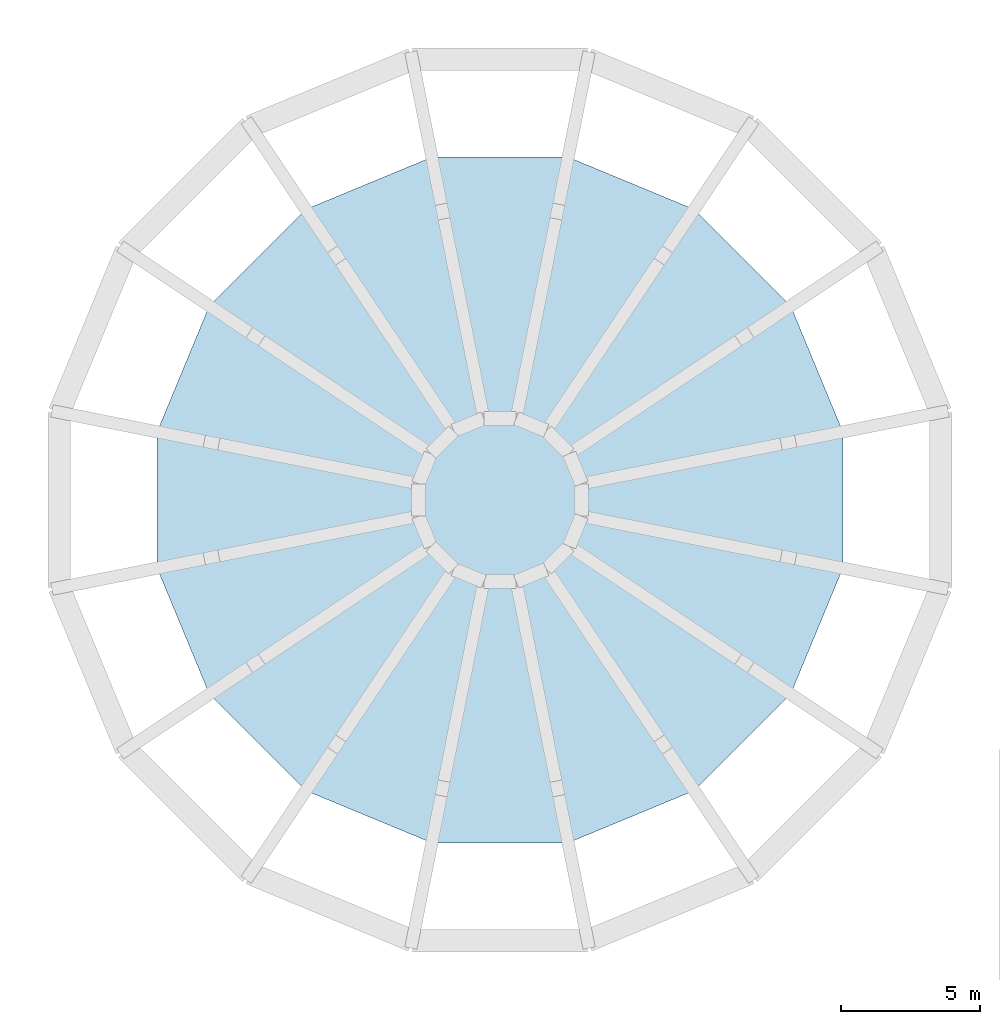
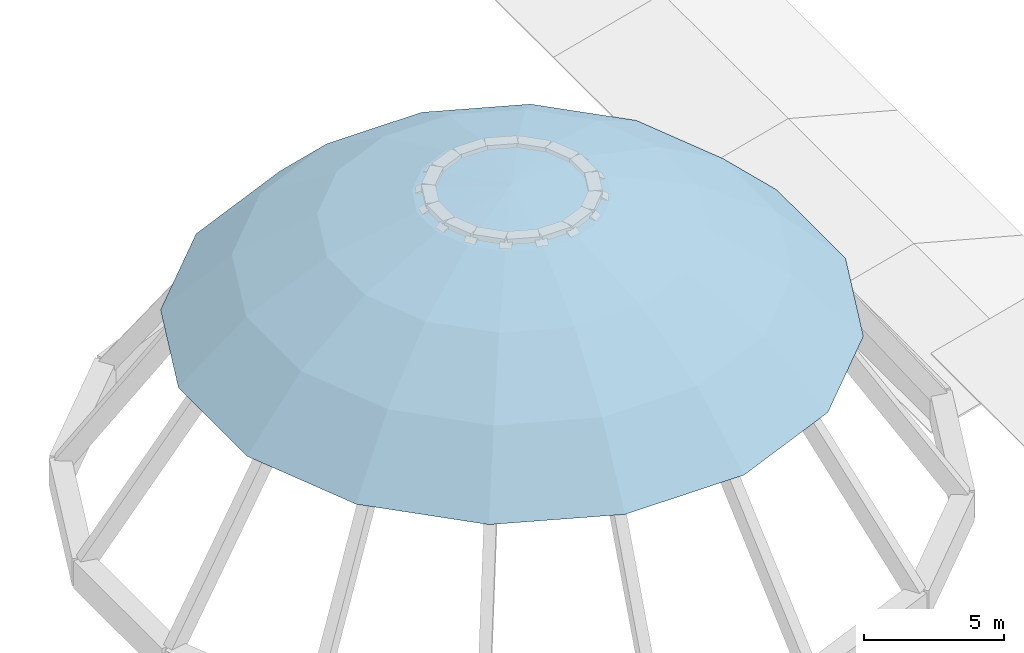
# One storey, part 79 of 80: 1 roof.
"""IFC4 building model written with IfcOpenShell, lengths in metres."""

from ifc_helpers import new_model, si_unit, direction, frame, origin, place, context, subcontext, project, spatial, polygons, material, layer, layer_set, type_object, element, save


model = new_model("IFC4")

# Units and contexts
model_context = context("Model", 3, precision=1e-05, world=origin(), true_north=direction((0.0, 1.0)))
body_context = subcontext(model_context, "Body", "Model", "MODEL_VIEW")
ifc_project = project(units=[si_unit("LENGTHUNIT", "METRE"), si_unit("AREAUNIT", "SQUARE_METRE"), si_unit("VOLUMEUNIT", "CUBIC_METRE"), si_unit("PLANEANGLEUNIT", "RADIAN"), si_unit("MASSUNIT", "GRAM", prefix="KILO"), si_unit("THERMODYNAMICTEMPERATUREUNIT", "KELVIN"), si_unit("POWERUNIT", "WATT")], contexts=[model_context])

# Site, building, storey
site_placement = place(None, origin())
site = spatial("IfcSite", under=ifc_project, at=site_placement, CompositionType="ELEMENT")
building_placement = place(site_placement, origin())
building = spatial("IfcBuilding", under=site, at=building_placement, Name="Tallowbark Science Centre", CompositionType="ELEMENT")
storey_placement = place(building_placement, frame((0.0, 0.0, 25.949951171875)))
storey = spatial("IfcBuildingStorey", under=building, at=storey_placement, Name="ROOF", CompositionType="ELEMENT", Elevation=25.949951171875)

# Roof
ifc_material = material(Name="Concrete Grade N50 (50 MPa)", Category="concrete")
ifc_layer = layer(ifc_material, 0.25)
ifc_layer_set = layer_set([ifc_layer], Name="Concrete Grade N50 (50 MPa)")
roof_type = type_object("IfcRoofType", Name="ROOF-DOME-N50", PredefinedType="DOME_ROOF", material=ifc_layer_set)
roof_placement = place(storey_placement, origin())
element("IfcRoof", 1, at=roof_placement, inside=storey, type_object=roof_type, Name="Planetarium Upper Dome Standing-Seam Cladding Shell", PredefinedType="DOME_ROOF", context=body_context, shape_type="Tessellation", body=[
    polygons([(34.85791015625, 20.458251953125, 2.25), (32.9765625, 25.000244140625, 2.25), (29.500244140625, 28.4765625, 2.25), (24.958251953125, 30.35791015625, 2.25), (20.041748046875, 30.35791015625, 2.25), (15.499755859375, 28.4765625, 2.25), (12.0234375, 25.000244140625, 2.25), (10.14208984375, 20.458251953125, 2.25), (10.14208984375, 15.541748046875, 2.25), (12.0234375, 10.999755859375, 2.25), (15.499755859375, 7.5234375, 2.25), (20.041748046875, 5.64208984375, 2.25), (24.958251953125, 5.64208984375, 2.25), (29.500244140625, 7.5234375, 2.25), (32.9765625, 10.999755859375, 2.25), (34.85791015625, 15.541748046875, 2.25), (32.351806640625, 19.959716796875, 4.794921875), (30.85205078125, 23.58056640625, 4.794921875), (28.08056640625, 26.35205078125, 4.794921875), (24.459716796875, 27.851806640625, 4.794921875), (20.540283203125, 27.851806640625, 4.794921875), (16.91943359375, 26.35205078125, 4.794921875), (14.14794921875, 23.58056640625, 4.794921875), (12.648193359375, 19.959716796875, 4.794921875), (12.648193359375, 16.040283203125, 4.794921875), (14.14794921875, 12.41943359375, 4.794921875), (16.91943359375, 9.64794921875, 4.794921875), (20.540283203125, 8.148193359375, 4.794921875), (24.459716796875, 8.148193359375, 4.794921875), (28.08056640625, 9.64794921875, 4.794921875), (30.85205078125, 12.41943359375, 4.794921875), (32.351806640625, 16.040283203125, 4.794921875), (29.354248046875, 19.363525390625, 6.709228515625), (28.310791015625, 21.882568359375, 6.709228515625), (26.382568359375, 23.810791015625, 6.709228515625), (23.863525390625, 24.854248046875, 6.709228515625), (21.136474609375, 24.854248046875, 6.709228515625), (18.617431640625, 23.810791015625, 6.709228515625), (16.689208984375, 21.882568359375, 6.709228515625), (15.645751953125, 19.363525390625, 6.709228515625), (15.645751953125, 16.636474609375, 6.709228515625), (16.689208984375, 14.117431640625, 6.709228515625), (18.617431640625, 12.189208984375, 6.709228515625), (21.136474609375, 11.145751953125, 6.709228515625), (23.863525390625, 11.145751953125, 6.709228515625), (26.382568359375, 12.189208984375, 6.709228515625), (28.310791015625, 14.117431640625, 6.709228515625), (29.354248046875, 16.636474609375, 6.709228515625), (26.014892578125, 18.69921875, 7.897216796875), (25.479736328125, 19.990966796875, 7.897216796875), (24.490966796875, 20.979736328125, 7.897216796875), (23.19921875, 21.514892578125, 7.897216796875), (21.80078125, 21.514892578125, 7.897216796875), (20.509033203125, 20.979736328125, 7.897216796875), (19.520263671875, 19.990966796875, 7.897216796875), (18.985107421875, 18.69921875, 7.897216796875), (18.985107421875, 17.30078125, 7.897216796875), (19.520263671875, 16.009033203125, 7.897216796875), (20.509033203125, 15.020263671875, 7.897216796875), (21.80078125, 14.485107421875, 7.897216796875), (23.19921875, 14.485107421875, 7.897216796875), (24.490966796875, 15.020263671875, 7.897216796875), (25.479736328125, 16.009033203125, 7.897216796875), (26.014892578125, 17.30078125, 7.897216796875), (22.5, 18.0, 8.300048828125), (34.76611328125, 20.43994140625, 2.25), (32.898681640625, 24.9482421875, 2.25), (29.4482421875, 28.398681640625, 2.25), (24.93994140625, 30.26611328125, 2.25), (20.06005859375, 30.26611328125, 2.25), (15.5517578125, 28.398681640625, 2.25), (12.101318359375, 24.9482421875, 2.25), (10.23388671875, 20.43994140625, 2.25), (10.23388671875, 15.56005859375, 2.25), (12.101318359375, 11.0517578125, 2.25), (15.5517578125, 7.601318359375, 2.25), (20.06005859375, 5.73388671875, 2.25), (24.93994140625, 5.73388671875, 2.25), (29.4482421875, 7.601318359375, 2.25), (32.898681640625, 11.0517578125, 2.25), (34.76611328125, 15.56005859375, 2.25), (32.278564453125, 19.945068359375, 4.700927734375), (30.7900390625, 23.5390625, 4.700927734375), (28.0390625, 26.2900390625, 4.700927734375), (24.445068359375, 27.778564453125, 4.700927734375), (20.554931640625, 27.778564453125, 4.700927734375), (16.9609375, 26.2900390625, 4.700927734375), (14.2099609375, 23.5390625, 4.700927734375), (12.721435546875, 19.945068359375, 4.700927734375), (12.721435546875, 16.054931640625, 4.700927734375), (14.2099609375, 12.4609375, 4.700927734375), (16.9609375, 9.7099609375, 4.700927734375), (20.554931640625, 8.221435546875, 4.700927734375), (24.445068359375, 8.221435546875, 4.700927734375), (28.0390625, 9.7099609375, 4.700927734375), (30.7900390625, 12.4609375, 4.700927734375), (32.278564453125, 16.054931640625, 4.700927734375), (29.303466796875, 19.353271484375, 6.60107421875), (28.267578125, 21.853759765625, 6.60107421875), (26.353759765625, 23.767578125, 6.60107421875), (23.853271484375, 24.803466796875, 6.60107421875), (21.146728515625, 24.803466796875, 6.60107421875), (18.646240234375, 23.767578125, 6.60107421875), (16.732421875, 21.853759765625, 6.60107421875), (15.696533203125, 19.353271484375, 6.60107421875), (15.696533203125, 16.646728515625, 6.60107421875), (16.732421875, 14.146240234375, 6.60107421875), (18.646240234375, 12.232421875, 6.60107421875), (21.146728515625, 11.196533203125, 6.60107421875), (23.853271484375, 11.196533203125, 6.60107421875), (26.353759765625, 12.232421875, 6.60107421875), (28.267578125, 14.146240234375, 6.60107421875), (29.303466796875, 16.646728515625, 6.60107421875), (25.98876953125, 18.69384765625, 7.7802734375), (25.45751953125, 19.976318359375, 7.7802734375), (24.476318359375, 20.95751953125, 7.7802734375), (23.19384765625, 21.48876953125, 7.7802734375), (21.80615234375, 21.48876953125, 7.7802734375), (20.523681640625, 20.95751953125, 7.7802734375), (19.54248046875, 19.976318359375, 7.7802734375), (19.01123046875, 18.69384765625, 7.7802734375), (19.01123046875, 17.30615234375, 7.7802734375), (19.54248046875, 16.023681640625, 7.7802734375), (20.523681640625, 15.04248046875, 7.7802734375), (21.80615234375, 14.51123046875, 7.7802734375), (23.19384765625, 14.51123046875, 7.7802734375), (24.476318359375, 15.04248046875, 7.7802734375), (25.45751953125, 16.023681640625, 7.7802734375), (25.98876953125, 17.30615234375, 7.7802734375), (22.5, 18.0, 8.179931640625)], [[[1, 2, 18]], [[1, 18, 17]], [[2, 3, 19]], [[2, 19, 18]], [[3, 4, 20]], [[3, 20, 19]], [[4, 5, 21]], [[4, 21, 20]], [[5, 6, 22]], [[5, 22, 21]], [[6, 7, 23]], [[6, 23, 22]], [[7, 8, 24]], [[7, 24, 23]], [[8, 9, 25]], [[8, 25, 24]], [[9, 10, 26]], [[9, 26, 25]], [[10, 11, 27]], [[10, 27, 26]], [[11, 12, 28]], [[11, 28, 27]], [[12, 13, 29]], [[12, 29, 28]], [[13, 14, 30]], [[13, 30, 29]], [[14, 15, 31]], [[14, 31, 30]], [[15, 16, 32]], [[15, 32, 31]], [[16, 1, 17]], [[16, 17, 32]], [[17, 18, 34]], [[17, 34, 33]], [[18, 19, 35]], [[18, 35, 34]], [[19, 20, 36]], [[19, 36, 35]], [[20, 21, 37]], [[20, 37, 36]], [[21, 22, 38]], [[21, 38, 37]], [[22, 23, 39]], [[22, 39, 38]], [[23, 24, 40]], [[23, 40, 39]], [[24, 25, 41]], [[24, 41, 40]], [[25, 26, 42]], [[25, 42, 41]], [[26, 27, 43]], [[26, 43, 42]], [[27, 28, 44]], [[27, 44, 43]], [[28, 29, 45]], [[28, 45, 44]], [[29, 30, 46]], [[29, 46, 45]], [[30, 31, 47]], [[30, 47, 46]], [[31, 32, 48]], [[31, 48, 47]], [[32, 17, 33]], [[32, 33, 48]], [[33, 34, 50]], [[33, 50, 49]], [[34, 35, 51]], [[34, 51, 50]], [[35, 36, 52]], [[35, 52, 51]], [[36, 37, 53]], [[36, 53, 52]], [[37, 38, 54]], [[37, 54, 53]], [[38, 39, 55]], [[38, 55, 54]], [[39, 40, 56]], [[39, 56, 55]], [[40, 41, 57]], [[40, 57, 56]], [[41, 42, 58]], [[41, 58, 57]], [[42, 43, 59]], [[42, 59, 58]], [[43, 44, 60]], [[43, 60, 59]], [[44, 45, 61]], [[44, 61, 60]], [[45, 46, 62]], [[45, 62, 61]], [[46, 47, 63]], [[46, 63, 62]], [[47, 48, 64]], [[47, 64, 63]], [[48, 33, 49]], [[48, 49, 64]], [[49, 50, 65]], [[50, 51, 65]], [[51, 52, 65]], [[52, 53, 65]], [[53, 54, 65]], [[54, 55, 65]], [[55, 56, 65]], [[56, 57, 65]], [[57, 58, 65]], [[58, 59, 65]], [[59, 60, 65]], [[60, 61, 65]], [[61, 62, 65]], [[62, 63, 65]], [[63, 64, 65]], [[64, 49, 65]], [[66, 83, 67]], [[66, 82, 83]], [[67, 84, 68]], [[67, 83, 84]], [[68, 85, 69]], [[68, 84, 85]], [[69, 86, 70]], [[69, 85, 86]], [[70, 87, 71]], [[70, 86, 87]], [[71, 88, 72]], [[71, 87, 88]], [[72, 89, 73]], [[72, 88, 89]], [[73, 90, 74]], [[73, 89, 90]], [[74, 91, 75]], [[74, 90, 91]], [[75, 92, 76]], [[75, 91, 92]], [[76, 93, 77]], [[76, 92, 93]], [[77, 94, 78]], [[77, 93, 94]], [[78, 95, 79]], [[78, 94, 95]], [[79, 96, 80]], [[79, 95, 96]], [[80, 97, 81]], [[80, 96, 97]], [[81, 82, 66]], [[81, 97, 82]], [[82, 99, 83]], [[82, 98, 99]], [[83, 100, 84]], [[83, 99, 100]], [[84, 101, 85]], [[84, 100, 101]], [[85, 102, 86]], [[85, 101, 102]], [[86, 103, 87]], [[86, 102, 103]], [[87, 104, 88]], [[87, 103, 104]], [[88, 105, 89]], [[88, 104, 105]], [[89, 106, 90]], [[89, 105, 106]], [[90, 107, 91]], [[90, 106, 107]], [[91, 108, 92]], [[91, 107, 108]], [[92, 109, 93]], [[92, 108, 109]], [[93, 110, 94]], [[93, 109, 110]], [[94, 111, 95]], [[94, 110, 111]], [[95, 112, 96]], [[95, 111, 112]], [[96, 113, 97]], [[96, 112, 113]], [[97, 98, 82]], [[97, 113, 98]], [[98, 115, 99]], [[98, 114, 115]], [[99, 116, 100]], [[99, 115, 116]], [[100, 117, 101]], [[100, 116, 117]], [[101, 118, 102]], [[101, 117, 118]], [[102, 119, 103]], [[102, 118, 119]], [[103, 120, 104]], [[103, 119, 120]], [[104, 121, 105]], [[104, 120, 121]], [[105, 122, 106]], [[105, 121, 122]], [[106, 123, 107]], [[106, 122, 123]], [[107, 124, 108]], [[107, 123, 124]], [[108, 125, 109]], [[108, 124, 125]], [[109, 126, 110]], [[109, 125, 126]], [[110, 127, 111]], [[110, 126, 127]], [[111, 128, 112]], [[111, 127, 128]], [[112, 129, 113]], [[112, 128, 129]], [[113, 114, 98]], [[113, 129, 114]], [[115, 114, 130]], [[116, 115, 130]], [[117, 116, 130]], [[118, 117, 130]], [[119, 118, 130]], [[120, 119, 130]], [[121, 120, 130]], [[122, 121, 130]], [[123, 122, 130]], [[124, 123, 130]], [[125, 124, 130]], [[126, 125, 130]], [[127, 126, 130]], [[128, 127, 130]], [[129, 128, 130]], [[114, 129, 130]], [[1, 66, 67]], [[1, 67, 2]], [[2, 67, 68]], [[2, 68, 3]], [[3, 68, 69]], [[3, 69, 4]], [[4, 69, 70]], [[4, 70, 5]], [[5, 70, 71]], [[5, 71, 6]], [[6, 71, 72]], [[6, 72, 7]], [[7, 72, 73]], [[7, 73, 8]], [[8, 73, 74]], [[8, 74, 9]], [[9, 74, 75]], [[9, 75, 10]], [[10, 75, 76]], [[10, 76, 11]], [[11, 76, 77]], [[11, 77, 12]], [[12, 77, 78]], [[12, 78, 13]], [[13, 78, 79]], [[13, 79, 14]], [[14, 79, 80]], [[14, 80, 15]], [[15, 80, 81]], [[15, 81, 16]], [[16, 81, 66]], [[16, 66, 1]]], closed=True),
])

save(model, "model.ifc")
